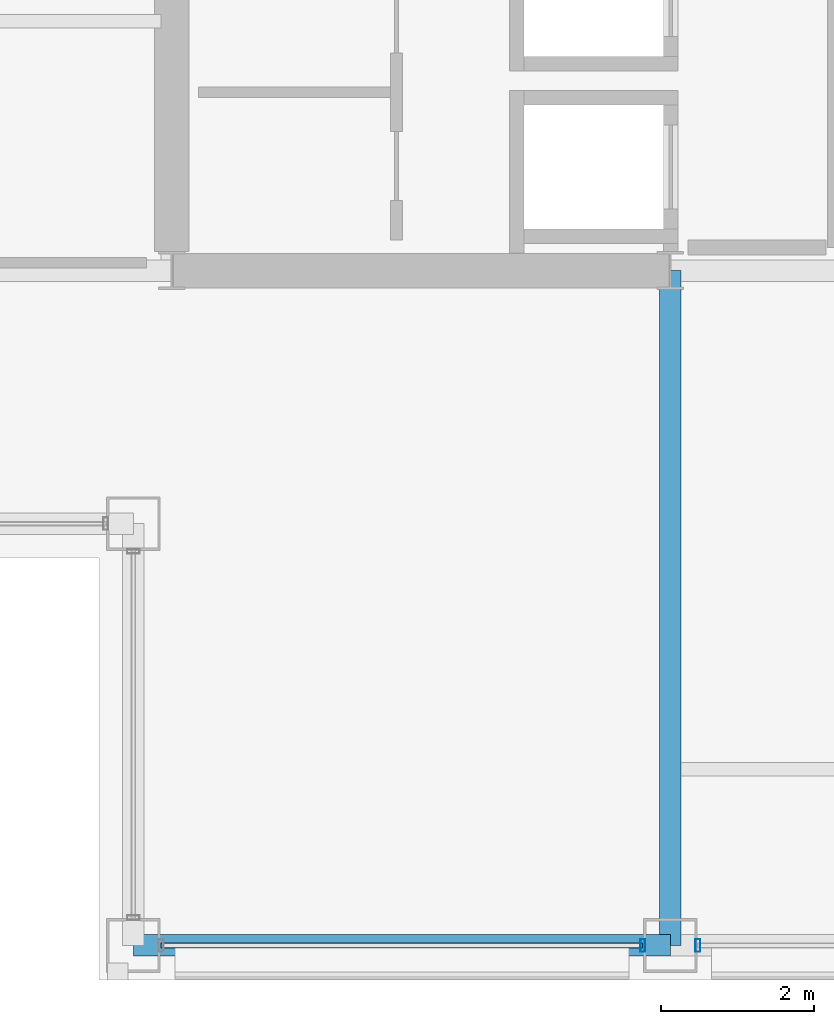
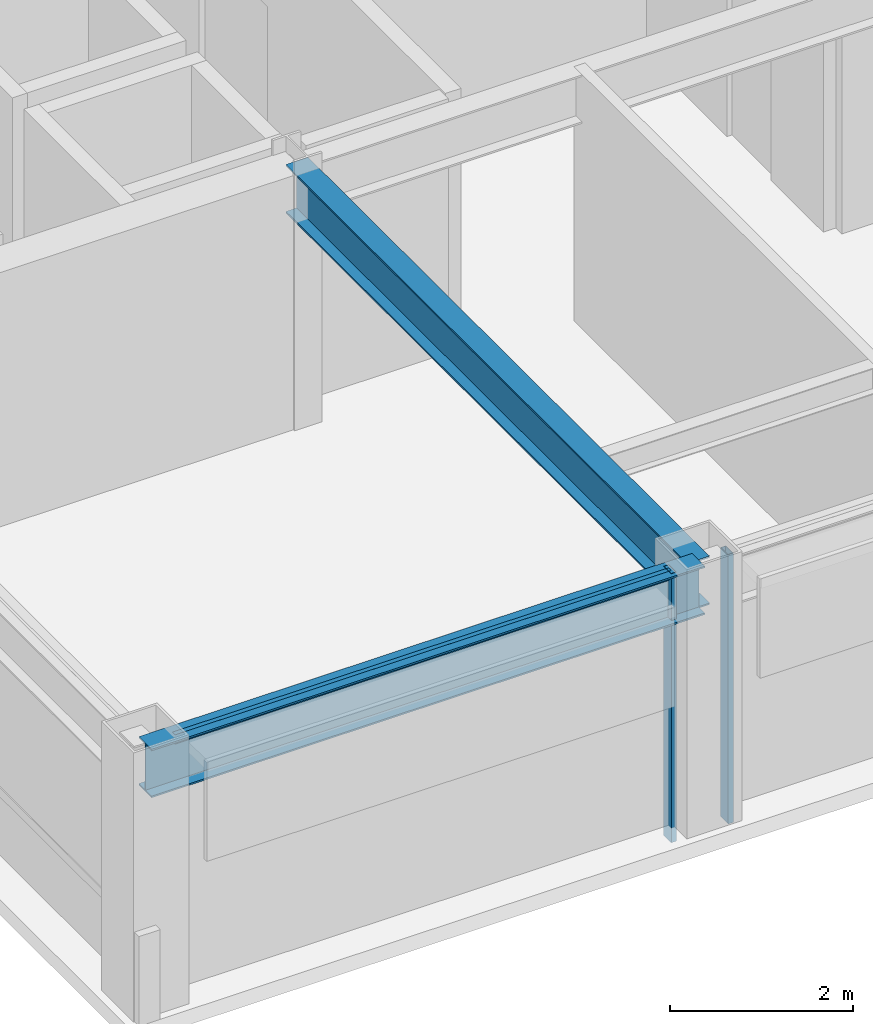
# One storey, part 3 of 28: 3 members, 2 beams, 2 elements without a shape of their own.
"""IFC4 building model written with IfcOpenShell, lengths in metres."""

from ifc_helpers import new_model, si_unit, direction, frame, origin, origin_2d, place, context, subcontext, project, spatial, hollow_rectangle, i_section, extrude, material, layer, layer_set, material_profile, profile_set, type_object, element, aggregate, save


model = new_model("IFC4")

# Units and contexts
model_context = context("Model", 3, precision=1e-05, world=origin(), true_north=direction((0.0, 1.0)))
body_context = subcontext(model_context, "Body", "Model", "MODEL_VIEW")
ifc_project = project(units=[si_unit("LENGTHUNIT", "METRE"), si_unit("AREAUNIT", "SQUARE_METRE"), si_unit("VOLUMEUNIT", "CUBIC_METRE"), si_unit("PLANEANGLEUNIT", "RADIAN"), si_unit("MASSUNIT", "GRAM", prefix="KILO")], contexts=[model_context])

# Site, building, storey
site_placement = place(None, origin())
site = spatial("IfcSite", under=ifc_project, at=site_placement, CompositionType="ELEMENT")
building_placement = place(site_placement, origin())
building = spatial("IfcBuilding", under=site, at=building_placement, Name="Brelmoor Portico Tower", CompositionType="ELEMENT")
storey_placement = place(building_placement, frame((0.0, 0.0, 191.10009765625)))
storey = spatial("IfcBuildingStorey", under=building, at=storey_placement, Name="L50", CompositionType="ELEMENT", Elevation=191.10009765625)

# Beams
ifc_material_1 = material(Name="Steel Q355B", Category="steel")
ifc_material_profile_1 = material_profile(ifc_material_1, i_section(OverallWidth=0.280029296875, OverallDepth=0.64990234375, WebThickness=0.012939453125, FlangeThickness=0.02197265625, at=origin_2d()), Name="HN 650x280x13x22")
ifc_profile_set_1 = profile_set([ifc_material_profile_1], Name="Steel Q355B")
beam_type_1 = type_object("IfcBeamType", Name="BM-PG-650", PredefinedType="BEAM", material=ifc_profile_set_1)
beam_1_placement = place(storey_placement, frame((-8.050048828125, -18.550048828125, 3.074951171875), z_axis=(0.0, 1.0, 0.0), x_axis=(-1.0, 0.0, 0.0)))
element("IfcBeam", 1, at=beam_1_placement, inside=storey, type_object=beam_type_1, Name="L50 Primary Floor Girder PG-03", PredefinedType="BEAM", context=body_context, shape_type="SweptSolid", body=[
    extrude(i_section(OverallWidth=0.280029296875, OverallDepth=0.64990234375, WebThickness=0.012939453125, FlangeThickness=0.02197265625, at=origin_2d()), origin(), (0.0, 0.0, 1.0), 8.800048828125),
])
ifc_material_profile_2 = material_profile(ifc_material_1, i_section(OverallWidth=0.280029296875, OverallDepth=0.64990234375, WebThickness=0.012939453125, FlangeThickness=0.02197265625, at=origin_2d()), Name="HN 650x280x13x22")
ifc_profile_set_2 = profile_set([ifc_material_profile_2], Name="Steel Q355B")
beam_type_2 = type_object("IfcBeamType", Name="BM-SP-650", PredefinedType="SPANDREL", material=ifc_profile_set_2)
beam_2_placement = place(storey_placement, frame((-15.050048828125, -18.550048828125, 3.074951171875), z_axis=(1.0, 0.0, 0.0), x_axis=(0.0, 1.0, 0.0)))
element("IfcBeam", 2, at=beam_2_placement, inside=storey, type_object=beam_type_2, Name="L50 Perimeter Spandrel Beam SP-01", PredefinedType="SPANDREL", context=body_context, shape_type="SweptSolid", body=[
    extrude(i_section(OverallWidth=0.280029296875, OverallDepth=0.64990234375, WebThickness=0.012939453125, FlangeThickness=0.02197265625, at=origin_2d()), origin(), (0.0, 0.0, 1.0), 7.0),
])

# Curtain wall, member
ifc_material_2 = material(Name="Anodised Aluminium Alloy 6063-T6", Category="aluminium")
ifc_layer = layer(ifc_material_2, 0.179931640625)
ifc_layer_set = layer_set([ifc_layer], Name="Anodised Aluminium Alloy 6063-T6")
curtain_wall_type = type_object("IfcCurtainWallType", Name="CW-TOWER-Z3-XB", PredefinedType="NOTDEFINED", material=ifc_layer_set)
curtain_wall_1_placement = place(storey_placement, origin())
curtain_wall_1 = element("IfcCurtainWall", 3, at=curtain_wall_1_placement, inside=storey, type_object=curtain_wall_type, Name="L50 Curtain Wall CW-L50-01-1", PredefinedType="NOTDEFINED")
ifc_material_profile_3 = material_profile(ifc_material_2, hollow_rectangle(XDim=0.06494140625, YDim=0.1650390625, WallThickness=0.00390625, at=origin_2d()), Name="ALU MULLION 65x165")
ifc_profile_set_3 = profile_set([ifc_material_profile_3], Name="Anodised Aluminium Alloy 6063-T6")
member_type_1 = type_object("IfcMemberType", Name="MB-CW-MULL-165", PredefinedType="MULLION", material=ifc_profile_set_3)
member_1_placement = place(storey_placement, frame((-8.409912109375, -18.550048828125, -0.2001953125), z_axis=(0.0, 0.0, 1.0), x_axis=(1.0, 0.0, 0.0)))
member_1 = element("IfcMember", 4, at=member_1_placement, type_object=member_type_1, Name="CW-L50-01-1 Mullion 01", PredefinedType="MULLION", context=body_context, shape_type="SweptSolid", body=[
    extrude(hollow_rectangle(XDim=0.06494140625, YDim=0.1650390625, WallThickness=0.00390625, at=origin_2d()), origin(), (0.0, 0.0, 1.0), 3.60009765625),
])

curtain_wall_2_placement = place(storey_placement, origin())
curtain_wall_2 = element("IfcCurtainWall", 5, at=curtain_wall_2_placement, inside=storey, type_object=curtain_wall_type, Name="L50 Curtain Wall CW-L50-01-2", PredefinedType="NOTDEFINED")
member_2_placement = place(storey_placement, frame((-7.68994140625, -18.550048828125, -0.2001953125), z_axis=(0.0, 0.0, 1.0), x_axis=(1.0, 0.0, 0.0)))
member_2 = element("IfcMember", 6, at=member_2_placement, type_object=member_type_1, Name="CW-L50-01-2 Mullion 00", PredefinedType="MULLION", context=body_context, shape_type="SweptSolid", body=[
    extrude(hollow_rectangle(XDim=0.06494140625, YDim=0.1650390625, WallThickness=0.00390625, at=origin_2d()), origin(), (0.0, 0.0, 1.0), 3.60009765625),
])
aggregate(curtain_wall_2, [member_2])

# Member
ifc_material_profile_4 = material_profile(ifc_material_2, hollow_rectangle(XDim=0.06005859375, YDim=0.125, WallThickness=0.00341796875, at=origin_2d()), Name="ALU TRANSOM 60x125")
ifc_profile_set_4 = profile_set([ifc_material_profile_4], Name="Anodised Aluminium Alloy 6063-T6")
member_type_2 = type_object("IfcMemberType", Name="MB-CW-TRAN-125", PredefinedType="USERDEFINED", material=ifc_profile_set_4)
member_3_placement = place(storey_placement, frame((-14.68994140625, -18.550048828125, 3.33740234375), z_axis=(1.0, 0.0, 0.0), x_axis=(0.0, 1.0, 0.0)))
member_3 = element("IfcMember", 7, at=member_3_placement, type_object=member_type_2, Name="CW-L50-01-1 Transom 1-00", ObjectType="TRANSOM", PredefinedType="USERDEFINED", context=body_context, shape_type="SweptSolid", body=[
    extrude(hollow_rectangle(XDim=0.06005859375, YDim=0.125, WallThickness=0.00341796875, at=origin_2d()), origin(), (0.0, 0.0, 1.0), 6.280029296875),
])

aggregate(curtain_wall_1, [member_1, member_3])

save(model, "model.ifc")
